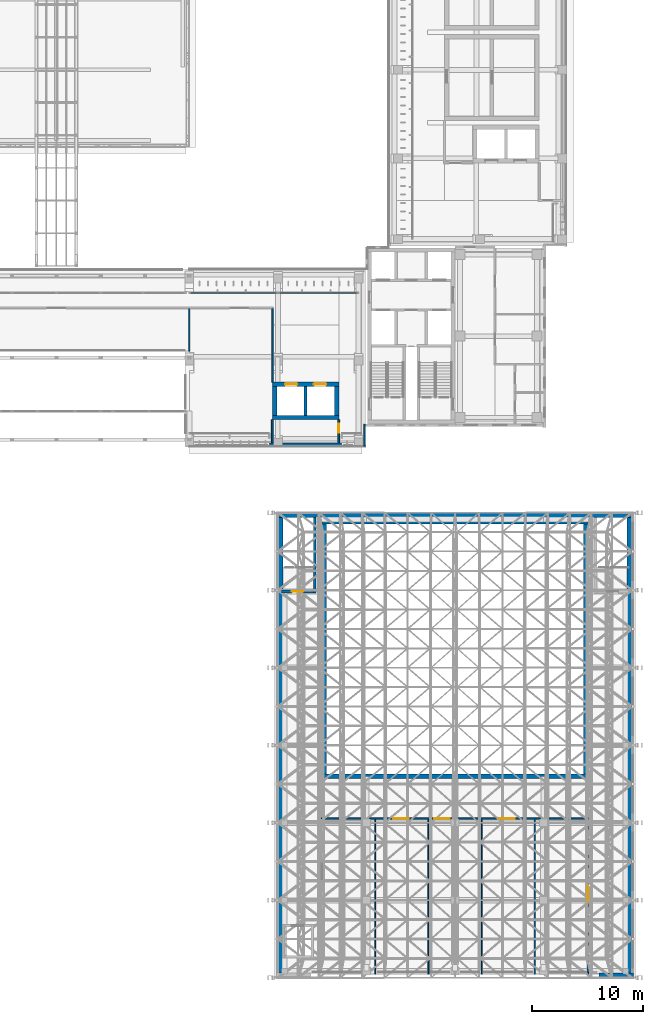
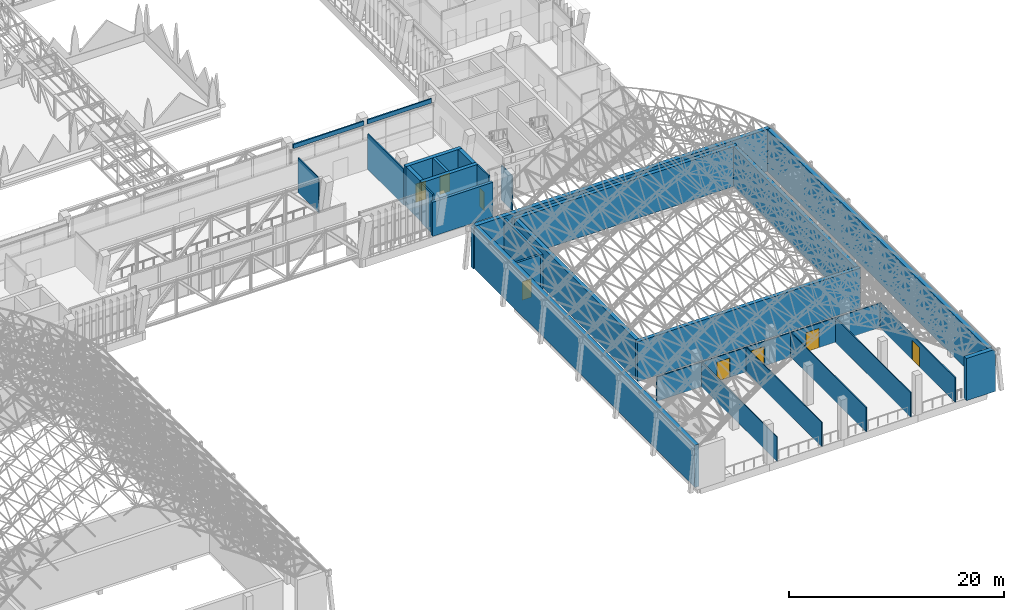
# One storey, part 106 of 141: 29 walls, 8 doors, 8 openings.
"""IFC4 building model written with IfcOpenShell, lengths in metres."""

from ifc_helpers import new_model, si_unit, direction, frame, frame_2d, origin, place, context, subcontext, project, spatial, polyline, rectangle, outline, extrude, material, layer, layer_set, type_object, element, fill, save


model = new_model("IFC4")

# Units and contexts
model_context = context("Model", 3, precision=1e-05, world=origin(), true_north=direction((0.0, 1.0)))
body_context = subcontext(model_context, "Body", "Model", "MODEL_VIEW")
ifc_project = project(units=[si_unit("LENGTHUNIT", "METRE"), si_unit("AREAUNIT", "SQUARE_METRE"), si_unit("VOLUMEUNIT", "CUBIC_METRE"), si_unit("PLANEANGLEUNIT", "RADIAN"), si_unit("MASSUNIT", "GRAM", prefix="KILO")], contexts=[model_context])

# Site, building, storey
site_placement = place(None, origin())
site = spatial("IfcSite", under=ifc_project, at=site_placement, CompositionType="ELEMENT")
building_placement = place(site_placement, origin())
building = spatial("IfcBuilding", under=site, at=building_placement, Name="Lantern Court Media Centre", CompositionType="ELEMENT")
storey_placement = place(building_placement, frame((0.0, 0.0, 9.60009765625)))
storey = spatial("IfcBuildingStorey", under=building, at=storey_placement, Name="L02", CompositionType="ELEMENT", Elevation=9.60009765625)

# Wall
ifc_material_1 = material(Name="Gypsum board partition")
ifc_layer_1 = layer(ifc_material_1, 0.125)
ifc_layer_set_1 = layer_set([ifc_layer_1], Name="Gypsum board partition")
wall_type_1 = type_object("IfcWallType", Name="Corridor partition 125", PredefinedType="PARTITIONING", material=ifc_layer_set_1)
wall_1_placement = place(storey_placement, frame((71.5, 51.800048828125, 0.0), z_axis=(0.0, 0.0, 1.0), x_axis=(0.0, 1.0, 0.0)))
element("IfcWall", 1, at=wall_1_placement, inside=storey, type_object=wall_type_1, Name="L02 partition 007", PredefinedType="PARTITIONING", context=body_context, shape_type="SweptSolid", body=[
    extrude(rectangle(XDim=6.637451171875, YDim=0.125, at=frame_2d((3.31884765625, 0.0))), origin(), (0.0, 0.0, 1.0), 4.079833984375),
])

# Wall, opening, door
wall_2_placement = place(storey_placement, frame((100.0, -1.699951171875, 0.0), z_axis=(0.0, 0.0, 1.0), x_axis=(0.0, 1.0, 0.0)))
wall_2 = element("IfcWall", 2, at=wall_2_placement, inside=storey, type_object=wall_type_1, Name="L02 partition 063", PredefinedType="PARTITIONING", context=body_context, shape_type="SweptSolid", body=[
    extrude(rectangle(XDim=14.037353515625, YDim=0.125, at=frame_2d((7.0185546875, 0.0))), origin(), (0.0, 0.0, 1.0), 2.77978515625),
])
opening_1_placement = place(wall_2_placement, frame((6.625, 0.0, 0.0)))
opening_1 = element("IfcOpeningElement", 3, at=opening_1_placement, cuts=wall_2, Name="Opening L02-052", PredefinedType="OPENING", context=body_context, shape_type="SweptSolid", body=[
    extrude(rectangle(XDim=1.39990234375, YDim=2.199951171875, at=frame_2d((0.699951171875, 1.10009765625))), frame((0.0, 0.072509765625, 0.0), z_axis=(0.0, -1.0, 0.0), x_axis=(1.0, 0.0, 0.0)), (0.0, 0.0, 1.0), 0.14501953125),
])
ifc_material_2 = material(Name="Solid-core timber door leaf", Category="wood")
door_type_1 = type_object("IfcDoorType", Name="Double door 1400x2200", OperationType="NOTDEFINED", PredefinedType="DOOR", material=ifc_material_2)
door_1_placement = place(opening_1_placement, origin())
door_1 = element("IfcDoor", 4, at=door_1_placement, inside=storey, type_object=door_type_1, Name="L02 Wardrobe door", OperationType="DOUBLE_DOOR_SINGLE_SWING", OverallHeight=2.199951171875, OverallWidth=1.39990234375, PredefinedType="DOOR", context=body_context, shape_type="SweptSolid", body=[
    extrude(rectangle(XDim=1.39990234375, YDim=2.199951171875, at=frame_2d((0.699951171875, 1.10009765625))), frame((0.0, 0.02490234375, 0.0), z_axis=(0.0, -1.0, 0.0), x_axis=(1.0, 0.0, 0.0)), (0.0, 0.0, 1.0), 0.050048828125),
])
fill(opening_1, door_1)

# Wall, openings, doors
wall_3_placement = place(storey_placement, frame((75.9375, 12.39990234375, 0.0), z_axis=(0.0, 0.0, 1.0), x_axis=(1.0, 0.0, 0.0)))
wall_3 = element("IfcWall", 5, at=wall_3_placement, inside=storey, type_object=wall_type_1, Name="L02 partition 064", PredefinedType="PARTITIONING", context=body_context, shape_type="SweptSolid", body=[
    extrude(rectangle(XDim=24.125, YDim=0.125, at=frame_2d((12.0625, 0.0))), origin(), (0.0, 0.0, 1.0), 2.77978515625),
])
opening_2_placement = place(wall_3_placement, frame((6.47119140625, 0.0, 0.0)))
opening_2 = element("IfcOpeningElement", 6, at=opening_2_placement, cuts=wall_3, Name="Opening L02-049", PredefinedType="OPENING", context=body_context, shape_type="SweptSolid", body=[
    extrude(rectangle(XDim=1.39990234375, YDim=2.199951171875, at=frame_2d((0.699951171875, 1.10009765625))), frame((0.0, 0.072509765625, 0.0), z_axis=(0.0, -1.0, 0.0), x_axis=(1.0, 0.0, 0.0)), (0.0, 0.0, 1.0), 0.14501953125),
])
opening_3_placement = place(wall_3_placement, frame((10.175537109375, 0.0, 0.0)))
opening_3 = element("IfcOpeningElement", 7, at=opening_3_placement, cuts=wall_3, Name="Opening L02-050", PredefinedType="OPENING", context=body_context, shape_type="SweptSolid", body=[
    extrude(rectangle(XDim=1.39990234375, YDim=2.199951171875, at=frame_2d((0.699951171875, 1.10009765625))), frame((0.0, 0.072509765625, 0.0), z_axis=(0.0, -1.0, 0.0), x_axis=(1.0, 0.0, 0.0)), (0.0, 0.0, 1.0), 0.14501953125),
])
opening_4_placement = place(wall_3_placement, frame((16.0712890625, 0.0, 0.0)))
opening_4 = element("IfcOpeningElement", 8, at=opening_4_placement, cuts=wall_3, Name="Opening L02-051", PredefinedType="OPENING", context=body_context, shape_type="SweptSolid", body=[
    extrude(rectangle(XDim=1.39990234375, YDim=2.199951171875, at=frame_2d((0.699951171875, 1.10009765625))), frame((0.0, 0.072509765625, 0.0), z_axis=(0.0, -1.0, 0.0), x_axis=(1.0, 0.0, 0.0)), (0.0, 0.0, 1.0), 0.14501953125),
])
door_2_placement = place(opening_2_placement, frame((1.39990234375, 0.0, 0.0), z_axis=(0.0, 0.0, 1.0), x_axis=(-1.0, 0.0, 0.0)))
door_2 = element("IfcDoor", 9, at=door_2_placement, inside=storey, type_object=door_type_1, Name="L02 Make-up Room door", OperationType="DOUBLE_DOOR_SINGLE_SWING", OverallHeight=2.199951171875, OverallWidth=1.39990234375, PredefinedType="DOOR", context=body_context, shape_type="SweptSolid", body=[
    extrude(rectangle(XDim=1.39990234375, YDim=2.199951171875, at=frame_2d((0.699951171875, 1.10009765625))), frame((0.0, 0.02490234375, 0.0), z_axis=(0.0, -1.0, 0.0), x_axis=(1.0, 0.0, 0.0)), (0.0, 0.0, 1.0), 0.050048828125),
])
fill(opening_2, door_2)
door_3_placement = place(opening_3_placement, frame((1.39990234375, 0.0, 0.0), z_axis=(0.0, 0.0, 1.0), x_axis=(-1.0, 0.0, 0.0)))
door_3 = element("IfcDoor", 10, at=door_3_placement, inside=storey, type_object=door_type_1, Name="L02 Green Room 01 door", OperationType="DOUBLE_DOOR_SINGLE_SWING", OverallHeight=2.199951171875, OverallWidth=1.39990234375, PredefinedType="DOOR", context=body_context, shape_type="SweptSolid", body=[
    extrude(rectangle(XDim=1.39990234375, YDim=2.199951171875, at=frame_2d((0.699951171875, 1.10009765625))), frame((0.0, 0.02490234375, 0.0), z_axis=(0.0, -1.0, 0.0), x_axis=(1.0, 0.0, 0.0)), (0.0, 0.0, 1.0), 0.050048828125),
])
fill(opening_3, door_3)
door_4_placement = place(opening_4_placement, frame((1.39990234375, 0.0, 0.0), z_axis=(0.0, 0.0, 1.0), x_axis=(-1.0, 0.0, 0.0)))
door_4 = element("IfcDoor", 11, at=door_4_placement, inside=storey, type_object=door_type_1, Name="L02 Green Room 02 door", OperationType="DOUBLE_DOOR_SINGLE_SWING", OverallHeight=2.199951171875, OverallWidth=1.39990234375, PredefinedType="DOOR", context=body_context, shape_type="SweptSolid", body=[
    extrude(rectangle(XDim=1.39990234375, YDim=2.199951171875, at=frame_2d((0.699951171875, 1.10009765625))), frame((0.0, 0.02490234375, 0.0), z_axis=(0.0, -1.0, 0.0), x_axis=(1.0, 0.0, 0.0)), (0.0, 0.0, 1.0), 0.050048828125),
])
fill(opening_4, door_4)

# Walls
ifc_material_3 = material(Name="Limestone masonry, insulated", Category="masonry")
ifc_layer_2 = layer(ifc_material_3, 0.449951171875)
ifc_layer_set_2 = layer_set([ifc_layer_2], Name="Limestone masonry, insulated")
wall_type_2 = type_object("IfcWallType", Name="Hall wall, stone-faced masonry 450", PredefinedType="SOLIDWALL", material=ifc_layer_set_2)
for number, where, z_axis, x_axis, name in (
    (12, (72.22509765625, -1.550048828125, 0.0), (0.0, 0.0, 1.0), (0.0, 1.0, 0.0), "Studio Hall forecourt wall L02"),
    (13, (103.77490234375, -1.550048828125, 0.0), (0.0, 0.0, 1.0), (0.0, 1.0, 0.0), "Studio Hall street wall L02"),
):
    element("IfcWall", number, at=place(storey_placement, frame(where, z_axis=z_axis, x_axis=x_axis)), inside=storey, type_object=wall_type_2, Name=name, PredefinedType="SOLIDWALL", context=body_context, shape_type="SweptSolid", body=[
        extrude(rectangle(XDim=41.10009765625, YDim=0.449951171875, at=frame_2d((20.550048828125, 0.0))), origin(), (0.0, 0.0, 1.0), 4.7998046875),
    ])
wall_4_placement = place(storey_placement, frame((101.0, -1.77490234375, 0.0), z_axis=(0.0, 0.0, 1.0), x_axis=(1.0, 0.0, 0.0)))
element("IfcWall", 14, at=wall_4_placement, inside=storey, type_object=wall_type_2, Name="Studio Hall south gable L02", PredefinedType="SOLIDWALL", context=body_context, shape_type="SweptSolid", body=[
    extrude(outline(polyline([(0.0, 0.0), (3.10107421875, 0.0), (3.10107421875, 4.561767578125), (2.8623046875, 4.769287109375), (2.8271484375, 4.7998046875), (2.623779296875, 4.7998046875), (2.385498046875, 4.7998046875), (2.146728515625, 4.7998046875), (1.908203125, 4.7998046875), (1.669921875, 4.7998046875), (1.43115234375, 4.7998046875), (1.192626953125, 4.7998046875), (0.9541015625, 4.7998046875), (0.715576171875, 4.7998046875), (0.47705078125, 4.7998046875), (0.238525390625, 4.7998046875), (0.0, 4.7998046875), (0.0, 0.0)])), frame((0.0, 0.22509765625, 0.0), z_axis=(0.0, -1.0, 0.0), x_axis=(1.0, 0.0, 0.0)), (0.0, 0.0, 1.0), 0.449951171875),
])
wall_5_placement = place(storey_placement, frame((71.89892578125, 39.77490234375, 0.0), z_axis=(0.0, 0.0, 1.0), x_axis=(1.0, 0.0, 0.0)))
element("IfcWall", 15, at=wall_5_placement, inside=storey, type_object=wall_type_2, Name="Studio Hall north gable L02", PredefinedType="SOLIDWALL", context=body_context, shape_type="SweptSolid", body=[
    extrude(outline(polyline([(0.0, 0.0), (32.2021484375, 0.0), (32.201904296875, 4.561767578125), (31.952392578125, 4.77880859375), (31.927978515625, 4.7998046875), (31.70263671875, 4.7998046875), (31.453125, 4.7998046875), (31.203369140625, 4.7998046875), (30.953857421875, 4.7998046875), (30.7041015625, 4.7998046875), (30.45458984375, 4.7998046875), (30.204833984375, 4.7998046875), (29.955322265625, 4.7998046875), (29.705810546875, 4.7998046875), (29.4560546875, 4.7998046875), (29.206298828125, 4.7998046875), (28.956787109375, 4.7998046875), (28.707275390625, 4.7998046875), (28.45751953125, 4.7998046875), (28.2080078125, 4.7998046875), (27.958251953125, 4.7998046875), (27.708740234375, 4.7998046875), (27.458984375, 4.7998046875), (27.20947265625, 4.7998046875), (26.959716796875, 4.7998046875), (26.710205078125, 4.7998046875), (26.46044921875, 4.7998046875), (26.2109375, 4.7998046875), (25.961181640625, 4.7998046875), (25.711669921875, 4.7998046875), (25.4619140625, 4.7998046875), (25.21240234375, 4.7998046875), (24.962646484375, 4.7998046875), (24.713134765625, 4.7998046875), (24.46337890625, 4.7998046875), (24.2138671875, 4.7998046875), (23.964111328125, 4.7998046875), (23.714599609375, 4.7998046875), (23.465087890625, 4.7998046875), (23.21533203125, 4.7998046875), (22.9658203125, 4.7998046875), (22.716064453125, 4.7998046875), (22.466552734375, 4.7998046875), (22.216796875, 4.7998046875), (21.96728515625, 4.7998046875), (21.717529296875, 4.7998046875), (21.468017578125, 4.7998046875), (21.21826171875, 4.7998046875), (20.96875, 4.7998046875), (20.718994140625, 4.7998046875), (20.469482421875, 4.7998046875), (20.2197265625, 4.7998046875), (19.97021484375, 4.7998046875), (19.720703125, 4.7998046875), (19.470947265625, 4.7998046875), (19.22119140625, 4.7998046875), (18.9716796875, 4.7998046875), (18.72216796875, 4.7998046875), (18.472412109375, 4.7998046875), (18.222900390625, 4.7998046875), (17.97314453125, 4.7998046875), (17.7236328125, 4.7998046875), (17.473876953125, 4.7998046875), (17.224365234375, 4.7998046875), (16.974609375, 4.7998046875), (16.72509765625, 4.7998046875), (16.475341796875, 4.7998046875), (16.225830078125, 4.7998046875), (15.976318359375, 4.7998046875), (15.7265625, 4.7998046875), (15.476806640625, 4.7998046875), (15.227294921875, 4.7998046875), (14.9775390625, 4.7998046875), (14.72802734375, 4.7998046875), (14.478515625, 4.7998046875), (14.228759765625, 4.7998046875), (13.97900390625, 4.7998046875), (13.7294921875, 4.7998046875), (13.47998046875, 4.7998046875), (13.230224609375, 4.7998046875), (12.980712890625, 4.7998046875), (12.73095703125, 4.7998046875), (12.4814453125, 4.7998046875), (12.231689453125, 4.7998046875), (11.982177734375, 4.7998046875), (11.732421875, 4.7998046875), (11.48291015625, 4.7998046875), (11.233154296875, 4.7998046875), (10.983642578125, 4.7998046875), (10.73388671875, 4.7998046875), (10.484375, 4.7998046875), (10.234619140625, 4.7998046875), (9.985107421875, 4.7998046875), (9.735595703125, 4.7998046875), (9.48583984375, 4.7998046875), (9.236083984375, 4.7998046875), (8.986572265625, 4.7998046875), (8.737060546875, 4.7998046875), (8.4873046875, 4.7998046875), (8.23779296875, 4.7998046875), (7.988037109375, 4.7998046875), (7.738525390625, 4.7998046875), (7.48876953125, 4.7998046875), (7.2392578125, 4.7998046875), (6.989501953125, 4.7998046875), (6.739990234375, 4.7998046875), (6.490234375, 4.7998046875), (6.24072265625, 4.7998046875), (5.9912109375, 4.7998046875), (5.741455078125, 4.7998046875), (5.49169921875, 4.7998046875), (5.2421875, 4.7998046875), (4.992431640625, 4.7998046875), (4.742919921875, 4.7998046875), (4.493408203125, 4.7998046875), (4.24365234375, 4.7998046875), (3.993896484375, 4.7998046875), (3.744384765625, 4.7998046875), (3.494873046875, 4.7998046875), (3.2451171875, 4.7998046875), (2.99560546875, 4.7998046875), (2.745849609375, 4.7998046875), (2.496337890625, 4.7998046875), (2.24658203125, 4.7998046875), (1.9970703125, 4.7998046875), (1.747314453125, 4.7998046875), (1.497802734375, 4.7998046875), (1.248046875, 4.7998046875), (0.99853515625, 4.7998046875), (0.748779296875, 4.7998046875), (0.499267578125, 4.7998046875), (0.27392578125, 4.7998046875), (0.24951171875, 4.77880859375), (0.0, 4.561767578125), (0.0, 0.0)])), frame((0.0, 0.22509765625, 0.0), z_axis=(0.0, -1.0, 0.0), x_axis=(1.0, 0.0, 0.0)), (0.0, 0.0, 1.0), 0.449951171875),
])
ifc_material_4 = material(Name="Insulated rendered blockwork", Category="masonry")
ifc_layer_3 = layer(ifc_material_4, 0.14990234375)
ifc_layer_set_3 = layer_set([ifc_layer_3], Name="Insulated rendered blockwork")
wall_type_3 = type_object("IfcWallType", Name="Head infill wall 150", PredefinedType="SOLIDWALL", material=ifc_layer_set_3)
wall_6_placement = place(storey_placement, frame((64.199951171875, 59.85009765625, 4.099853515625), z_axis=(0.0, 0.0, 1.0), x_axis=(1.0, 0.0, 0.0)))
element("IfcWall", 16, at=wall_6_placement, inside=storey, type_object=wall_type_3, Name="Head infill wall S inner L02", PredefinedType="SOLIDWALL", context=body_context, shape_type="SweptSolid", body=[
    extrude(rectangle(XDim=7.60009765625, YDim=0.14990234375, at=frame_2d((3.800048828125, 0.0))), origin(), (0.0, 0.0, 1.0), 0.47998046875),
])
wall_7_placement = place(storey_placement, frame((72.199951171875, 59.85009765625, 4.099853515625), z_axis=(0.0, 0.0, 1.0), x_axis=(1.0, 0.0, 0.0)))
element("IfcWall", 17, at=wall_7_placement, inside=storey, type_object=wall_type_3, Name="Head infill wall S inner L02", PredefinedType="SOLIDWALL", context=body_context, shape_type="SweptSolid", body=[
    extrude(rectangle(XDim=6.900146484375, YDim=0.14990234375, at=frame_2d((3.4501953125, 0.0))), origin(), (0.0, 0.0, 1.0), 0.47998046875),
])
ifc_material_5 = material(Name="Honed limestone cladding on blockwork", Category="masonry")
ifc_layer_4 = layer(ifc_material_5, 0.139892578125)
ifc_layer_set_4 = layer_set([ifc_layer_4], Name="Honed limestone cladding on blockwork")
wall_type_4 = type_object("IfcWallType", Name="Limestone closure wall 140", PredefinedType="SOLIDWALL", material=ifc_layer_set_4)
wall_8_placement = place(storey_placement, frame((79.830078125, 46.0, 0.0), z_axis=(0.0, 0.0, 1.0), x_axis=(0.0, 1.0, 0.0)))
element("IfcWall", 18, at=wall_8_placement, inside=storey, type_object=wall_type_4, Name="Limestone closure wall S-SE L02", PredefinedType="SOLIDWALL", context=body_context, shape_type="SweptSolid", body=[
    extrude(rectangle(XDim=2.0, YDim=0.139892578125, at=frame_2d((1.0, 0.0))), origin(), (0.0, 0.0, 1.0), 3.89990234375),
])
ifc_layer_5 = layer(ifc_material_5, 0.300048828125)
ifc_layer_set_5 = layer_set([ifc_layer_5], Name="Honed limestone cladding on blockwork")
wall_type_5 = type_object("IfcWallType", Name="Limestone flank wall 300", PredefinedType="SOLIDWALL", material=ifc_layer_set_5)
wall_9_placement = place(storey_placement, frame((71.25, 46.14990234375, 0.0), z_axis=(0.0, 0.0, 1.0), x_axis=(1.0, 0.0, 0.0)))
element("IfcWall", 19, at=wall_9_placement, inside=storey, type_object=wall_type_5, Name="Limestone flank wall S outer L02", PredefinedType="SOLIDWALL", context=body_context, shape_type="SweptSolid", body=[
    extrude(rectangle(XDim=6.5, YDim=0.300048828125, at=frame_2d((3.25, 0.0))), origin(), (0.0, 0.0, 1.0), 3.89990234375),
])
ifc_layer_6 = layer(ifc_material_1, 0.10009765625)
ifc_layer_set_6 = layer_set([ifc_layer_6], Name="Gypsum board partition")
wall_type_6 = type_object("IfcWallType", Name="Partition 100", PredefinedType="PARTITIONING", material=ifc_layer_set_6)
wall_10_placement = place(storey_placement, frame((64.0, 54.60009765625, 0.0), z_axis=(0.0, 0.0, 1.0), x_axis=(0.0, 1.0, 0.0)))
element("IfcWall", 20, at=wall_10_placement, inside=storey, type_object=wall_type_6, Name="L02 partition 010", PredefinedType="PARTITIONING", context=body_context, shape_type="SweptSolid", body=[
    extrude(rectangle(XDim=3.83740234375, YDim=0.10009765625, at=frame_2d((1.918701171875, 0.0))), origin(), (0.0, 0.0, 1.0), 3.97998046875),
])
for number, where, z_axis, x_axis, name in (
    (21, (80.800048828125, -1.699951171875, 0.0), (0.0, 0.0, 1.0), (0.0, 1.0, 0.0), "L02 partition 065"),
    (22, (85.60009765625, -1.699951171875, 0.0), (0.0, 0.0, 1.0), (0.0, 1.0, 0.0), "L02 partition 066"),
    (23, (90.39990234375, -1.699951171875, 0.0), (0.0, 0.0, 1.0), (0.0, 1.0, 0.0), "L02 partition 067"),
    (24, (95.199951171875, -1.699951171875, 0.0), (0.0, 0.0, 1.0), (0.0, 1.0, 0.0), "L02 partition 068"),
):
    element("IfcWall", number, at=place(storey_placement, frame(where, z_axis=z_axis, x_axis=x_axis)), inside=storey, type_object=wall_type_6, Name=name, PredefinedType="PARTITIONING", context=body_context, shape_type="SweptSolid", body=[
        extrude(rectangle(XDim=14.037353515625, YDim=0.10009765625, at=frame_2d((7.0185546875, 0.0))), origin(), (0.0, 0.0, 1.0), 2.77978515625),
    ])
ifc_material_6 = material(Name="Concrete C40", Category="concrete")
ifc_layer_7 = layer(ifc_material_6, 0.300048828125)
ifc_layer_set_7 = layer_set([ifc_layer_7], Name="Concrete C40")
wall_type_7 = type_object("IfcWallType", Name="RC SHEAR WALL 300", PredefinedType="SHEAR", material=ifc_layer_set_7)
wall_11_placement = place(storey_placement, frame((74.5, 48.800048828125, 0.0), z_axis=(0.0, 0.0, 1.0), x_axis=(0.0, 1.0, 0.0)))
element("IfcWall", 25, at=wall_11_placement, inside=storey, type_object=wall_type_7, Name="WB-S-LC2-L02-D", PredefinedType="SHEAR", context=body_context, shape_type="SweptSolid", body=[
    extrude(rectangle(XDim=2.599853515625, YDim=0.300048828125, at=frame_2d((1.2998046875, 0.0))), origin(), (0.0, 0.0, 1.0), 4.579833984375),
])
ifc_layer_8 = layer(ifc_material_6, 0.39990234375)
ifc_layer_set_8 = layer_set([ifc_layer_8], Name="Concrete C40")
wall_type_8 = type_object("IfcWallType", Name="RC SHEAR WALL 400", PredefinedType="SHEAR", material=ifc_layer_set_8)
wall_12_placement = place(storey_placement, frame((71.5, 48.60009765625, 0.0), z_axis=(0.0, 0.0, 1.0), x_axis=(1.0, 0.0, 0.0)))
element("IfcWall", 26, at=wall_12_placement, inside=storey, type_object=wall_type_8, Name="WB-S-LC2-L02-S", PredefinedType="SHEAR", context=body_context, shape_type="SweptSolid", body=[
    extrude(rectangle(XDim=6.0, YDim=0.39990234375, at=frame_2d((3.0, 0.0))), origin(), (0.0, 0.0, 1.0), 4.579833984375),
])

# Wall, openings, doors
wall_13_placement = place(storey_placement, frame((71.5, 51.60009765625, 0.0), z_axis=(0.0, 0.0, 1.0), x_axis=(1.0, 0.0, 0.0)))
wall_13 = element("IfcWall", 27, at=wall_13_placement, inside=storey, type_object=wall_type_8, Name="WB-S-LC2-L02-N", PredefinedType="SHEAR", context=body_context, shape_type="SweptSolid", body=[
    extrude(rectangle(XDim=6.0, YDim=0.39990234375, at=frame_2d((3.0, 0.0))), origin(), (0.0, 0.0, 1.0), 4.579833984375),
])
opening_5_placement = place(wall_13_placement, frame((1.14990234375, 0.0, 0.0)))
opening_5 = element("IfcOpeningElement", 28, at=opening_5_placement, cuts=wall_13, Name="Opening LD-S-LC2P-L02", PredefinedType="OPENING", context=body_context, shape_type="SweptSolid", body=[
    extrude(rectangle(XDim=1.10009765625, YDim=2.10009765625, at=frame_2d((0.550048828125, 1.050048828125))), frame((0.0, 0.2099609375, 0.0), z_axis=(0.0, -1.0, 0.0), x_axis=(1.0, 0.0, 0.0)), (0.0, 0.0, 1.0), 0.419921875),
])
opening_6_placement = place(wall_13_placement, frame((3.75, 0.0, 0.0)))
opening_6 = element("IfcOpeningElement", 29, at=opening_6_placement, cuts=wall_13, Name="Opening LD-S-LC2S-L02", PredefinedType="OPENING", context=body_context, shape_type="SweptSolid", body=[
    extrude(rectangle(XDim=1.10009765625, YDim=2.10009765625, at=frame_2d((0.550048828125, 1.050048828125))), frame((0.0, 0.2099609375, 0.0), z_axis=(0.0, -1.0, 0.0), x_axis=(1.0, 0.0, 0.0)), (0.0, 0.0, 1.0), 0.419921875),
])
ifc_material_7 = material(Name="Steel door leaf", Category="steel")
door_type_2 = type_object("IfcDoorType", Name="Lift landing door 1100x2100", OperationType="DOUBLE_DOOR_SLIDING", PredefinedType="DOOR", material=ifc_material_7)
door_5_placement = place(opening_5_placement, origin())
door_5 = element("IfcDoor", 30, at=door_5_placement, inside=storey, type_object=door_type_2, Name="L02 S-LC2 passenger lift landing door", OperationType="DOUBLE_DOOR_SLIDING", OverallHeight=2.10009765625, OverallWidth=1.10009765625, PredefinedType="DOOR", context=body_context, shape_type="SweptSolid", body=[
    extrude(rectangle(XDim=1.10009765625, YDim=2.10009765625, at=frame_2d((0.550048828125, 1.050048828125))), frame((0.0, 0.02490234375, 0.0), z_axis=(0.0, -1.0, 0.0), x_axis=(1.0, 0.0, 0.0)), (0.0, 0.0, 1.0), 0.050048828125),
])
fill(opening_5, door_5)
door_6_placement = place(opening_6_placement, origin())
door_6 = element("IfcDoor", 31, at=door_6_placement, inside=storey, type_object=door_type_2, Name="L02 S-LC2 service lift landing door", OperationType="DOUBLE_DOOR_SLIDING", OverallHeight=2.10009765625, OverallWidth=1.10009765625, PredefinedType="DOOR", context=body_context, shape_type="SweptSolid", body=[
    extrude(rectangle(XDim=1.10009765625, YDim=2.10009765625, at=frame_2d((0.550048828125, 1.050048828125))), frame((0.0, 0.02490234375, 0.0), z_axis=(0.0, -1.0, 0.0), x_axis=(1.0, 0.0, 0.0)), (0.0, 0.0, 1.0), 0.050048828125),
])
fill(opening_6, door_6)

# Walls
for number, where, z_axis, x_axis, name in (
    (32, (71.699951171875, 48.800048828125, 0.0), (0.0, 0.0, 1.0), (0.0, 1.0, 0.0), "WB-S-LC2-L02-W"),
    (33, (77.300048828125, 48.800048828125, 0.0), (0.0, 0.0, 1.0), (0.0, 1.0, 0.0), "WB-S-LC2-L02-E"),
):
    element("IfcWall", number, at=place(storey_placement, frame(where, z_axis=z_axis, x_axis=x_axis)), inside=storey, type_object=wall_type_8, Name=name, PredefinedType="SHEAR", context=body_context, shape_type="SweptSolid", body=[
        extrude(rectangle(XDim=2.599853515625, YDim=0.39990234375, at=frame_2d((1.2998046875, 0.0))), origin(), (0.0, 0.0, 1.0), 4.579833984375),
    ])
for number, where, z_axis, x_axis, name in (
    (34, (76.0, 16.199951171875, 0.0), (0.0, 0.0, 1.0), (1.0, 0.0, 0.0), "WB-V2-STA-L02-S"),
    (35, (76.0, 39.199951171875, 0.0), (0.0, 0.0, 1.0), (1.0, 0.0, 0.0), "WB-V2-STA-L02-N"),
):
    element("IfcWall", number, at=place(storey_placement, frame(where, z_axis=z_axis, x_axis=x_axis)), inside=storey, type_object=wall_type_8, Name=name, PredefinedType="SHEAR", context=body_context, shape_type="SweptSolid", body=[
        extrude(rectangle(XDim=24.0, YDim=0.39990234375, at=frame_2d((12.0, 0.0))), origin(), (0.0, 0.0, 1.0), 4.5498046875),
    ])
for number, where, z_axis, x_axis, name in (
    (36, (76.199951171875, 16.39990234375, 0.0), (0.0, 0.0, 1.0), (0.0, 1.0, 0.0), "WB-V2-STA-L02-W"),
    (37, (99.800048828125, 16.39990234375, 0.0), (0.0, 0.0, 1.0), (0.0, 1.0, 0.0), "WB-V2-STA-L02-E"),
):
    element("IfcWall", number, at=place(storey_placement, frame(where, z_axis=z_axis, x_axis=x_axis)), inside=storey, type_object=wall_type_8, Name=name, PredefinedType="SHEAR", context=body_context, shape_type="SweptSolid", body=[
        extrude(rectangle(XDim=22.60009765625, YDim=0.39990234375, at=frame_2d((11.300048828125, 0.0))), origin(), (0.0, 0.0, 1.0), 4.5498046875),
    ])
ifc_layer_9 = layer(ifc_material_6, 0.25)
ifc_layer_set_9 = layer_set([ifc_layer_9], Name="Concrete C40")
wall_type_9 = type_object("IfcWallType", Name="RC stair shaft wall 250", PredefinedType="SOLIDWALL", material=ifc_layer_set_9)
wall_14_placement = place(storey_placement, frame((75.324951171875, 32.75, 0.0), z_axis=(0.0, 0.0, 1.0), x_axis=(0.0, 1.0, 0.0)))
element("IfcWall", 38, at=wall_14_placement, inside=storey, type_object=wall_type_9, Name="L02 V2-ST-W shaft wall E", PredefinedType="SOLIDWALL", context=body_context, shape_type="SweptSolid", body=[
    extrude(rectangle(XDim=6.800048828125, YDim=0.25, at=frame_2d((3.39990234375, 0.0))), origin(), (0.0, 0.0, 1.0), 4.5498046875),
])

# Wall, opening, door
wall_15_placement = place(storey_placement, frame((72.35009765625, 32.875, 0.0), z_axis=(0.0, 0.0, 1.0), x_axis=(1.0, 0.0, 0.0)))
wall_15 = element("IfcWall", 39, at=wall_15_placement, inside=storey, type_object=wall_type_9, Name="L02 V2-ST-W shaft wall S", PredefinedType="SOLIDWALL", context=body_context, shape_type="SweptSolid", body=[
    extrude(rectangle(XDim=2.849853515625, YDim=0.25, at=frame_2d((1.4248046875, 0.0))), origin(), (0.0, 0.0, 1.0), 4.5498046875),
])
opening_7_placement = place(wall_15_placement, frame((0.925048828125, 0.0, 0.0)))
opening_7 = element("IfcOpeningElement", 40, at=opening_7_placement, cuts=wall_15, Name="Opening V2-ST-W-L02-01", PredefinedType="OPENING", context=body_context, shape_type="SweptSolid", body=[
    extrude(rectangle(XDim=1.0, YDim=2.10009765625, at=frame_2d((0.5, 1.050048828125))), frame((0.0, 0.135009765625, 0.0), z_axis=(0.0, -1.0, 0.0), x_axis=(1.0, 0.0, 0.0)), (0.0, 0.0, 1.0), 0.27001953125),
])
door_type_3 = type_object("IfcDoorType", Name="Stair door 1000x2100", OperationType="NOTDEFINED", PredefinedType="DOOR", material=ifc_material_7)
door_7_placement = place(opening_7_placement, frame((1.0, 0.0, 0.0), z_axis=(0.0, 0.0, 1.0), x_axis=(-1.0, 0.0, 0.0)))
door_7 = element("IfcDoor", 41, at=door_7_placement, inside=storey, type_object=door_type_3, Name="L02 V2-ST-W stair door", OperationType="SINGLE_SWING_RIGHT", OverallHeight=2.10009765625, OverallWidth=1.0, PredefinedType="DOOR", context=body_context, shape_type="SweptSolid", body=[
    extrude(rectangle(XDim=1.0, YDim=2.10009765625, at=frame_2d((0.5, 1.050048828125))), frame((0.0, 0.02490234375, 0.0), z_axis=(0.0, -1.0, 0.0), x_axis=(1.0, 0.0, 0.0)), (0.0, 0.0, 1.0), 0.050048828125),
])
fill(opening_7, door_7)

ifc_material_8 = material(Name="Fire-rated gypsum board")
ifc_layer_10 = layer(ifc_material_8, 0.159912109375)
ifc_layer_set_10 = layer_set([ifc_layer_10], Name="Fire-rated gypsum board")
wall_type_10 = type_object("IfcWallType", Name="Riser shaft liner wall 160", PredefinedType="PARTITIONING", material=ifc_layer_set_10)
wall_16_placement = place(storey_placement, frame((77.5, 46.300048828125, 0.0), z_axis=(0.0, 0.0, 1.0), x_axis=(0.0, 1.0, 0.0)))
wall_16 = element("IfcWall", 42, at=wall_16_placement, inside=storey, type_object=wall_type_10, Name="L02 partition 002", PredefinedType="PARTITIONING", context=body_context, shape_type="SweptSolid", body=[
    extrude(rectangle(XDim=2.099853515625, YDim=0.159912109375, at=frame_2d((1.0498046875, 0.0))), origin(), (0.0, 0.0, 1.0), 4.559814453125),
])
opening_8_placement = place(wall_16_placement, frame((0.925048828125, 0.0, 0.0)))
opening_8 = element("IfcOpeningElement", 43, at=opening_8_placement, cuts=wall_16, Name="Opening L02-002", PredefinedType="OPENING", context=body_context, shape_type="SweptSolid", body=[
    extrude(rectangle(XDim=0.800048828125, YDim=2.10009765625, at=frame_2d((0.39990234375, 1.050048828125))), frame((0.0, 0.08984375, 0.0), z_axis=(0.0, -1.0, 0.0), x_axis=(1.0, 0.0, 0.0)), (0.0, 0.0, 1.0), 0.179931640625),
])
door_type_4 = type_object("IfcDoorType", Name="Riser access fire door 800x2100", OperationType="NOTDEFINED", PredefinedType="DOOR", material=ifc_material_7)
door_8_placement = place(opening_8_placement, origin())
door_8 = element("IfcDoor", 44, at=door_8_placement, inside=storey, type_object=door_type_4, Name="L02 Services Duct door", OperationType="SINGLE_SWING_LEFT", OverallHeight=2.10009765625, OverallWidth=0.800048828125, PredefinedType="DOOR", context=body_context, shape_type="SweptSolid", body=[
    extrude(rectangle(XDim=0.800048828125, YDim=2.10009765625, at=frame_2d((0.39990234375, 1.050048828125))), frame((0.0, 0.02490234375, 0.0), z_axis=(0.0, -1.0, 0.0), x_axis=(1.0, 0.0, 0.0)), (0.0, 0.0, 1.0), 0.050048828125),
])
fill(opening_8, door_8)

# Wall
wall_17_placement = place(storey_placement, frame((71.5, 46.300048828125, 0.0), z_axis=(0.0, 0.0, 1.0), x_axis=(0.0, 1.0, 0.0)))
element("IfcWall", 45, at=wall_17_placement, inside=storey, type_object=wall_type_10, Name="L02 partition 006", PredefinedType="PARTITIONING", context=body_context, shape_type="SweptSolid", body=[
    extrude(rectangle(XDim=2.099853515625, YDim=0.159912109375, at=frame_2d((1.0498046875, 0.0))), origin(), (0.0, 0.0, 1.0), 4.559814453125),
])

save(model, "model.ifc")
